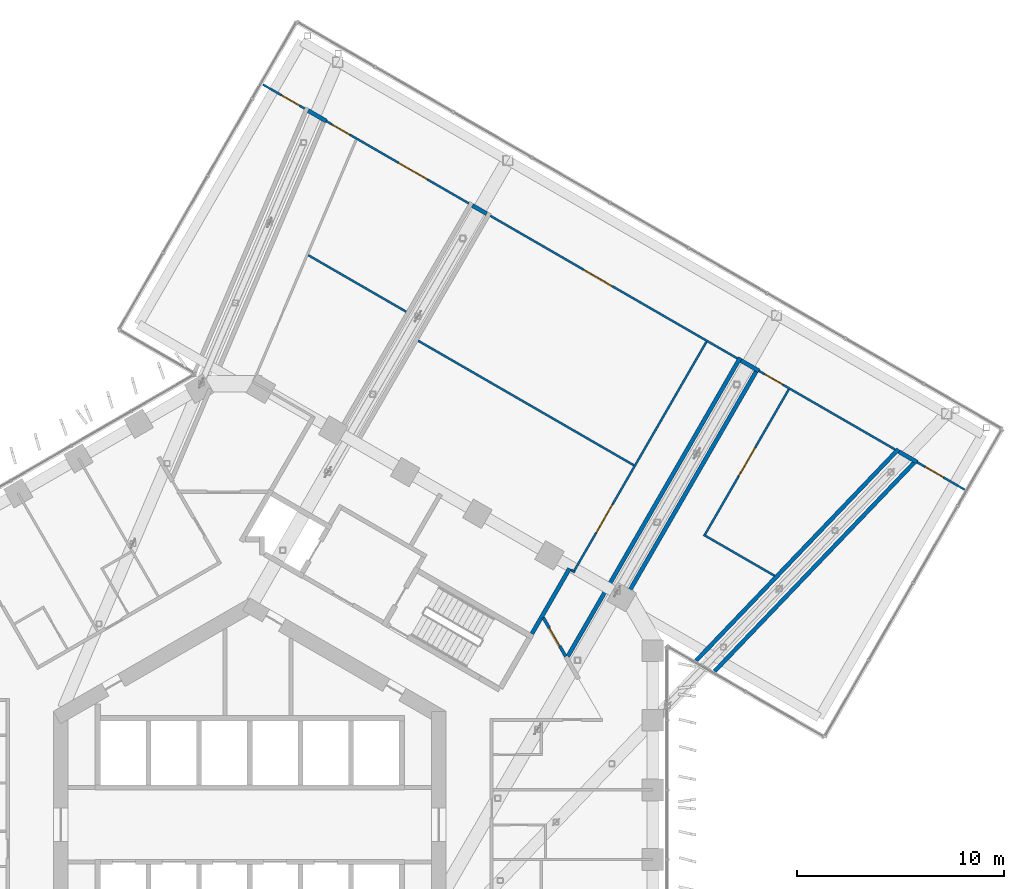
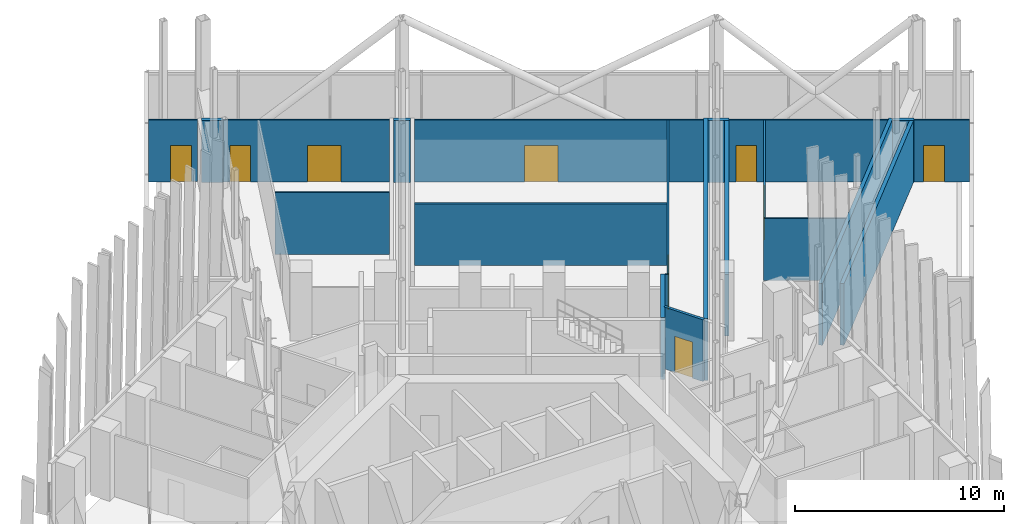
# One storey, part 23 of 31: 21 walls, 9 doors, 9 openings.
"""IFC4 building model written with IfcOpenShell, lengths in metres."""

from ifc_helpers import new_model, si_unit, direction, frame, frame_2d, origin, place, context, subcontext, project, spatial, rectangle, extrude, material, layer, layer_set, type_object, element, fill, save


model = new_model("IFC4")

# Units and contexts
model_context = context("Model", 3, precision=1e-05, world=origin(), true_north=direction((0.0, 1.0)))
body_context = subcontext(model_context, "Body", "Model", "MODEL_VIEW")
ifc_project = project(units=[si_unit("LENGTHUNIT", "METRE"), si_unit("AREAUNIT", "SQUARE_METRE"), si_unit("VOLUMEUNIT", "CUBIC_METRE"), si_unit("PLANEANGLEUNIT", "RADIAN"), si_unit("MASSUNIT", "GRAM", prefix="KILO")], contexts=[model_context])

# Site, building, storey
site_placement = place(None, origin())
site = spatial("IfcSite", under=ifc_project, at=site_placement, CompositionType="ELEMENT")
building_placement = place(site_placement, origin())
building = spatial("IfcBuilding", under=site, at=building_placement, Name="Ayvan Gate Tower", CompositionType="ELEMENT")
storey_placement = place(building_placement, frame((0.0, 0.0, 135.89990234375)))
storey = spatial("IfcBuildingStorey", under=building, at=storey_placement, Name="L36", CompositionType="ELEMENT", Elevation=135.89990234375)

# Wall, opening, door
ifc_material_1 = material(Name="Plasterboard on steel stud", Category="steel")
ifc_layer_1 = layer(ifc_material_1, 0.14990234375)
ifc_layer_set_1 = layer_set([ifc_layer_1], Name="Plasterboard on steel stud")
wall_type_1 = type_object("IfcWallType", Name="WT-CORR-150", PredefinedType="PARTITIONING", material=ifc_layer_set_1)
wall_1_placement = place(storey_placement, frame((14.197265625, 10.01708984375, 0.0), z_axis=(0.0, 0.0, 1.0), x_axis=(0.500076756895, -0.865981083635, 0.0)))
wall_1 = element("IfcWall", 1, at=wall_1_placement, inside=storey, type_object=wall_type_1, Name="IW-L36-125", PredefinedType="PARTITIONING", context=body_context, shape_type="SweptSolid", body=[
    extrude(rectangle(XDim=2.167236328125, YDim=0.14990234375, at=frame_2d((1.08349609375, 0.0))), origin(), (0.0, 0.0, 1.0), 3.60009765625),
])
opening_1_placement = place(wall_1_placement, frame((0.58349609375, 0.0, 0.0)))
opening_1 = element("IfcOpeningElement", 2, at=opening_1_placement, cuts=wall_1, Name="Opening L36-D42", PredefinedType="OPENING", context=body_context, shape_type="SweptSolid", body=[
    extrude(rectangle(XDim=1.0, YDim=2.10009765625, at=frame_2d((0.5, 1.050048828125))), frame((0.0, 0.0849609375, 0.0), z_axis=(0.0, -1.0, 0.0), x_axis=(1.0, 0.0, 0.0)), (0.0, 0.0, 1.0), 0.169921875),
])
ifc_material_2 = material(Name="Timber door leaf", Category="wood")
door_type_1 = type_object("IfcDoorType", Name="DT-1000", OperationType="NOTDEFINED", PredefinedType="DOOR", material=ifc_material_2)
door_1_placement = place(opening_1_placement, origin())
door_1 = element("IfcDoor", 3, at=door_1_placement, inside=storey, type_object=door_type_1, Name="ID-L36-042", OperationType="SINGLE_SWING_RIGHT", OverallHeight=2.10009765625, OverallWidth=1.0, PredefinedType="DOOR", context=body_context, shape_type="SweptSolid", body=[
    extrude(rectangle(XDim=1.0, YDim=2.10009765625, at=frame_2d((0.5, 1.050048828125))), frame((0.0, 0.02490234375, 0.0), z_axis=(0.0, -1.0, 0.0), x_axis=(1.0, 0.0, 0.0)), (0.0, 0.0, 1.0), 0.050048828125),
])
fill(opening_1, door_1)

ifc_layer_2 = layer(ifc_material_1, 0.10009765625)
ifc_layer_set_2 = layer_set([ifc_layer_2], Name="Plasterboard on steel stud")
wall_type_2 = type_object("IfcWallType", Name="WT-PART-100", PredefinedType="PARTITIONING", material=ifc_layer_set_2)
wall_2_placement = place(storey_placement, frame((2.654296875, 34.634521484375, 0.0), z_axis=(0.0, 0.0, 1.0), x_axis=(-0.866052829878, 0.499952493604, 0.0)))
wall_2 = element("IfcWall", 4, at=wall_2_placement, inside=storey, type_object=wall_type_2, Name="IW-L36-081", PredefinedType="PARTITIONING", context=body_context, shape_type="SweptSolid", body=[
    extrude(rectangle(XDim=2.327392578125, YDim=0.10009765625, at=frame_2d((1.16357421875, 0.0))), origin(), (0.0, 0.0, 1.0), 3.60009765625),
])
opening_2_placement = place(wall_2_placement, frame((0.290771484375, 0.0, 0.0)))
opening_2 = element("IfcOpeningElement", 5, at=opening_2_placement, cuts=wall_2, Name="Opening L36-D48", PredefinedType="OPENING", context=body_context, shape_type="SweptSolid", body=[
    extrude(rectangle(XDim=1.0, YDim=2.10009765625, at=frame_2d((0.5, 1.050048828125))), frame((0.0, 0.06005859375, 0.0), z_axis=(0.0, -1.0, 0.0), x_axis=(1.0, 0.0, 0.0)), (0.0, 0.0, 1.0), 0.1201171875),
])
door_2_placement = place(opening_2_placement, origin())
door_2 = element("IfcDoor", 6, at=door_2_placement, inside=storey, type_object=door_type_1, Name="ID-L36-048", OperationType="SINGLE_SWING_RIGHT", OverallHeight=2.10009765625, OverallWidth=1.0, PredefinedType="DOOR", context=body_context, shape_type="SweptSolid", body=[
    extrude(rectangle(XDim=1.0, YDim=2.10009765625, at=frame_2d((0.5, 1.050048828125))), frame((0.0, 0.02490234375, 0.0), z_axis=(0.0, -1.0, 0.0), x_axis=(1.0, 0.0, 0.0)), (0.0, 0.0, 1.0), 0.050048828125),
])
fill(opening_2, door_2)

# Wall
wall_3_placement = place(storey_placement, frame((2.82958984375, 27.545654296875, 0.0), z_axis=(0.0, 0.0, 1.0), x_axis=(0.866035515232, -0.49998248605, 0.0)))
element("IfcWall", 7, at=wall_3_placement, inside=storey, type_object=wall_type_2, Name="IW-L36-082", PredefinedType="PARTITIONING", context=body_context, shape_type="SweptSolid", body=[
    extrude(rectangle(XDim=5.472412109375, YDim=0.10009765625, at=frame_2d((2.736328125, 0.0))), origin(), (0.0, 0.0, 1.0), 3.60009765625),
])

# Wall, openings, doors
wall_4_placement = place(storey_placement, frame((3.69970703125, 34.03076171875, 0.0), z_axis=(0.0, 0.0, 1.0), x_axis=(0.866024725942, -0.500001174055, 0.0)))
wall_4 = element("IfcWall", 8, at=wall_4_placement, inside=storey, type_object=wall_type_2, Name="IW-L36-093", PredefinedType="PARTITIONING", context=body_context, shape_type="SweptSolid", body=[
    extrude(rectangle(XDim=7.96142578125, YDim=0.10009765625, at=frame_2d((3.980712890625, 0.0))), origin(), (0.0, 0.0, 1.0), 3.60009765625),
])
opening_3_placement = place(wall_4_placement, frame((0.335205078125, 0.0, 0.0)))
opening_3 = element("IfcOpeningElement", 9, at=opening_3_placement, cuts=wall_4, Name="Opening L36-D38", PredefinedType="OPENING", context=body_context, shape_type="SweptSolid", body=[
    extrude(rectangle(XDim=1.0, YDim=2.10009765625, at=frame_2d((0.5, 1.050048828125))), frame((0.0, 0.06005859375, 0.0), z_axis=(0.0, -1.0, 0.0), x_axis=(1.0, 0.0, 0.0)), (0.0, 0.0, 1.0), 0.1201171875),
])
opening_4_placement = place(wall_4_placement, frame((4.0458984375, 0.0, 0.0)))
opening_4 = element("IfcOpeningElement", 10, at=opening_4_placement, cuts=wall_4, Name="Opening L36-D47", PredefinedType="OPENING", context=body_context, shape_type="SweptSolid", body=[
    extrude(rectangle(XDim=1.60009765625, YDim=2.10009765625, at=frame_2d((0.800048828125, 1.050048828125))), frame((0.0, 0.06005859375, 0.0), z_axis=(0.0, -1.0, 0.0), x_axis=(1.0, 0.0, 0.0)), (0.0, 0.0, 1.0), 0.1201171875),
])
door_3_placement = place(opening_3_placement, origin())
door_3 = element("IfcDoor", 11, at=door_3_placement, inside=storey, type_object=door_type_1, Name="ID-L36-038", OperationType="SINGLE_SWING_RIGHT", OverallHeight=2.10009765625, OverallWidth=1.0, PredefinedType="DOOR", context=body_context, shape_type="SweptSolid", body=[
    extrude(rectangle(XDim=1.0, YDim=2.10009765625, at=frame_2d((0.5, 1.050048828125))), frame((0.0, 0.02490234375, 0.0), z_axis=(0.0, -1.0, 0.0), x_axis=(1.0, 0.0, 0.0)), (0.0, 0.0, 1.0), 0.050048828125),
])
fill(opening_3, door_3)
door_type_2 = type_object("IfcDoorType", Name="DT-1600", OperationType="NOTDEFINED", PredefinedType="DOOR", material=ifc_material_2)
door_4_placement = place(opening_4_placement, origin())
door_4 = element("IfcDoor", 12, at=door_4_placement, inside=storey, type_object=door_type_2, Name="ID-L36-047", OperationType="SINGLE_SWING_LEFT", OverallHeight=2.10009765625, OverallWidth=1.60009765625, PredefinedType="DOOR", context=body_context, shape_type="SweptSolid", body=[
    extrude(rectangle(XDim=1.60009765625, YDim=2.10009765625, at=frame_2d((0.800048828125, 1.050048828125))), frame((0.0, 0.02490234375, 0.0), z_axis=(0.0, -1.0, 0.0), x_axis=(1.0, 0.0, 0.0)), (0.0, 0.0, 1.0), 0.050048828125),
])
fill(opening_4, door_4)

# Walls
wall_5_placement = place(storey_placement, frame((8.14501953125, 23.40771484375, 0.0), z_axis=(0.0, 0.0, 1.0), x_axis=(0.866032748968, -0.499987277554, 0.0)))
element("IfcWall", 13, at=wall_5_placement, inside=storey, type_object=wall_type_2, Name="IW-L36-105", PredefinedType="PARTITIONING", context=body_context, shape_type="SweptSolid", body=[
    extrude(rectangle(XDim=12.050048828125, YDim=0.10009765625, at=frame_2d((6.02490234375, 0.0))), origin(), (0.0, 0.0, 1.0), 3.60009765625),
])
wall_6_placement = place(storey_placement, frame((15.5419921875, 12.319580078125, 0.0), z_axis=(0.0, 0.0, 1.0), x_axis=(0.866510491504, -0.499158860599, 0.0)))
element("IfcWall", 14, at=wall_6_placement, inside=storey, type_object=wall_type_2, Name="IW-L36-131", PredefinedType="PARTITIONING", context=body_context, shape_type="SweptSolid", body=[
    extrude(rectangle(XDim=0.199951171875, YDim=0.10009765625, at=frame_2d((0.10009765625, 0.0))), origin(), (0.0, 0.0, 1.0), 3.60009765625),
])

# Wall, opening, door
wall_7_placement = place(storey_placement, frame((15.697021484375, 12.2880859375, 0.0), z_axis=(0.0, 0.0, 1.0), x_axis=(0.500009610757, 0.86601985494, 0.0)))
wall_7 = element("IfcWall", 15, at=wall_7_placement, inside=storey, type_object=wall_type_2, Name="IW-L36-132", PredefinedType="PARTITIONING", context=body_context, shape_type="SweptSolid", body=[
    extrude(rectangle(XDim=12.781005859375, YDim=0.10009765625, at=frame_2d((6.390625, 0.0))), origin(), (0.0, 0.0, 1.0), 3.60009765625),
])
opening_5_placement = place(wall_7_placement, frame((2.112060546875, 0.0, 0.0)))
opening_5 = element("IfcOpeningElement", 16, at=opening_5_placement, cuts=wall_7, Name="Opening L36-D43", PredefinedType="OPENING", context=body_context, shape_type="SweptSolid", body=[
    extrude(rectangle(XDim=1.60009765625, YDim=2.10009765625, at=frame_2d((0.800048828125, 1.050048828125))), frame((0.0, 0.06005859375, 0.0), z_axis=(0.0, -1.0, 0.0), x_axis=(1.0, 0.0, 0.0)), (0.0, 0.0, 1.0), 0.1201171875),
])
door_5_placement = place(opening_5_placement, origin())
door_5 = element("IfcDoor", 17, at=door_5_placement, inside=storey, type_object=door_type_2, Name="ID-L36-043", OperationType="SINGLE_SWING_LEFT", OverallHeight=2.10009765625, OverallWidth=1.60009765625, PredefinedType="DOOR", context=body_context, shape_type="SweptSolid", body=[
    extrude(rectangle(XDim=1.60009765625, YDim=2.10009765625, at=frame_2d((0.800048828125, 1.050048828125))), frame((0.0, 0.02490234375, 0.0), z_axis=(0.0, -1.0, 0.0), x_axis=(1.0, 0.0, 0.0)), (0.0, 0.0, 1.0), 0.050048828125),
])
fill(opening_5, door_5)

# Wall
wall_8_placement = place(storey_placement, frame((21.95166015625, 14.021484375, 0.0), z_axis=(0.0, 0.0, 1.0), x_axis=(0.866027556635, -0.499996271135, 0.0)))
element("IfcWall", 18, at=wall_8_placement, inside=storey, type_object=wall_type_2, Name="IW-L36-135", PredefinedType="PARTITIONING", context=body_context, shape_type="SweptSolid", body=[
    extrude(rectangle(XDim=3.9619140625, YDim=0.10009765625, at=frame_2d((1.98095703125, 0.0))), origin(), (0.0, 0.0, 1.0), 3.60009765625),
])

# Wall, opening, door
wall_9_placement = place(storey_placement, frame((11.633544921875, 29.4501953125, 0.0), z_axis=(0.0, 0.0, 1.0), x_axis=(0.866025616189, -0.499999632104, 0.0)))
wall_9 = element("IfcWall", 19, at=wall_9_placement, inside=storey, type_object=wall_type_2, Name="IW-L36-136", PredefinedType="PARTITIONING", context=body_context, shape_type="SweptSolid", body=[
    extrude(rectangle(XDim=13.80029296875, YDim=0.10009765625, at=frame_2d((6.900146484375, 0.0))), origin(), (0.0, 0.0, 1.0), 3.60009765625),
])
opening_6_placement = place(wall_9_placement, frame((5.235107421875, 0.0, 0.0)))
opening_6 = element("IfcOpeningElement", 20, at=opening_6_placement, cuts=wall_9, Name="Opening L36-D44", PredefinedType="OPENING", context=body_context, shape_type="SweptSolid", body=[
    extrude(rectangle(XDim=1.60009765625, YDim=2.10009765625, at=frame_2d((0.800048828125, 1.050048828125))), frame((0.0, 0.06005859375, 0.0), z_axis=(0.0, -1.0, 0.0), x_axis=(1.0, 0.0, 0.0)), (0.0, 0.0, 1.0), 0.1201171875),
])
door_6_placement = place(opening_6_placement, origin())
door_6 = element("IfcDoor", 21, at=door_6_placement, inside=storey, type_object=door_type_2, Name="ID-L36-044", OperationType="SINGLE_SWING_RIGHT", OverallHeight=2.10009765625, OverallWidth=1.60009765625, PredefinedType="DOOR", context=body_context, shape_type="SweptSolid", body=[
    extrude(rectangle(XDim=1.60009765625, YDim=2.10009765625, at=frame_2d((0.800048828125, 1.050048828125))), frame((0.0, 0.02490234375, 0.0), z_axis=(0.0, -1.0, 0.0), x_axis=(1.0, 0.0, 0.0)), (0.0, 0.0, 1.0), 0.050048828125),
])
fill(opening_6, door_6)

wall_10_placement = place(storey_placement, frame((26.0712890625, 21.056884765625, 0.0), z_axis=(0.0, 0.0, 1.0), x_axis=(-0.499995447853, -0.866028031952, 0.0)))
wall_10 = element("IfcWall", 22, at=wall_10_placement, inside=storey, type_object=wall_type_2, Name="IW-L36-140", PredefinedType="PARTITIONING", context=body_context, shape_type="SweptSolid", body=[
    extrude(rectangle(XDim=8.1025390625, YDim=0.10009765625, at=frame_2d((4.05126953125, 0.0))), origin(), (0.0, 0.0, 1.0), 3.60009765625),
])
opening_7_placement = place(wall_10_placement, frame((3.251220703125, 0.0, 0.0)))
opening_7 = element("IfcOpeningElement", 23, at=opening_7_placement, cuts=wall_10, Name="Opening L36-D41", PredefinedType="OPENING", context=body_context, shape_type="SweptSolid", body=[
    extrude(rectangle(XDim=1.60009765625, YDim=2.10009765625, at=frame_2d((0.800048828125, 1.050048828125))), frame((0.0, 0.06005859375, 0.0), z_axis=(0.0, -1.0, 0.0), x_axis=(1.0, 0.0, 0.0)), (0.0, 0.0, 1.0), 0.1201171875),
])
door_7_placement = place(opening_7_placement, origin())
door_7 = element("IfcDoor", 24, at=door_7_placement, inside=storey, type_object=door_type_2, Name="ID-L36-041", OperationType="SINGLE_SWING_LEFT", OverallHeight=2.10009765625, OverallWidth=1.60009765625, PredefinedType="DOOR", context=body_context, shape_type="SweptSolid", body=[
    extrude(rectangle(XDim=1.60009765625, YDim=2.10009765625, at=frame_2d((0.800048828125, 1.050048828125))), frame((0.0, 0.02490234375, 0.0), z_axis=(0.0, -1.0, 0.0), x_axis=(1.0, 0.0, 0.0)), (0.0, 0.0, 1.0), 0.050048828125),
])
fill(opening_7, door_7)

wall_11_placement = place(storey_placement, frame((24.6240234375, 21.9501953125, 0.0), z_axis=(0.0, 0.0, 1.0), x_axis=(0.866019020569, -0.50001105589, 0.0)))
wall_11 = element("IfcWall", 25, at=wall_11_placement, inside=storey, type_object=wall_type_2, Name="IW-L36-141", PredefinedType="PARTITIONING", context=body_context, shape_type="SweptSolid", body=[
    extrude(rectangle(XDim=7.615478515625, YDim=0.10009765625, at=frame_2d((3.8076171875, 0.0))), origin(), (0.0, 0.0, 1.0), 3.60009765625),
])
opening_8_placement = place(wall_11_placement, frame((0.335205078125, 0.0, 0.0)))
opening_8 = element("IfcOpeningElement", 26, at=opening_8_placement, cuts=wall_11, Name="Opening L36-D40", PredefinedType="OPENING", context=body_context, shape_type="SweptSolid", body=[
    extrude(rectangle(XDim=1.0, YDim=2.10009765625, at=frame_2d((0.5, 1.050048828125))), frame((0.0, 0.06005859375, 0.0), z_axis=(0.0, -1.0, 0.0), x_axis=(1.0, 0.0, 0.0)), (0.0, 0.0, 1.0), 0.1201171875),
])
door_8_placement = place(opening_8_placement, origin())
door_8 = element("IfcDoor", 27, at=door_8_placement, inside=storey, type_object=door_type_1, Name="ID-L36-040", OperationType="SINGLE_SWING_RIGHT", OverallHeight=2.10009765625, OverallWidth=1.0, PredefinedType="DOOR", context=body_context, shape_type="SweptSolid", body=[
    extrude(rectangle(XDim=1.0, YDim=2.10009765625, at=frame_2d((0.5, 1.050048828125))), frame((0.0, 0.02490234375, 0.0), z_axis=(0.0, -1.0, 0.0), x_axis=(1.0, 0.0, 0.0)), (0.0, 0.0, 1.0), 0.050048828125),
])
fill(opening_8, door_8)

wall_12_placement = place(storey_placement, frame((34.579833984375, 16.2021484375, 0.0), z_axis=(0.0, 0.0, 1.0), x_axis=(-0.866024577697, 0.500001430823, 0.0)))
wall_12 = element("IfcWall", 28, at=wall_12_placement, inside=storey, type_object=wall_type_2, Name="IW-L36-144", PredefinedType="PARTITIONING", context=body_context, shape_type="SweptSolid", body=[
    extrude(rectangle(XDim=2.6513671875, YDim=0.10009765625, at=frame_2d((1.32568359375, 0.0))), origin(), (0.0, 0.0, 1.0), 3.60009765625),
])
opening_9_placement = place(wall_12_placement, frame((1.198486328125, 0.0, 0.0)))
opening_9 = element("IfcOpeningElement", 29, at=opening_9_placement, cuts=wall_12, Name="Opening L36-D39", PredefinedType="OPENING", context=body_context, shape_type="SweptSolid", body=[
    extrude(rectangle(XDim=1.0, YDim=2.10009765625, at=frame_2d((0.5, 1.050048828125))), frame((0.0, 0.06005859375, 0.0), z_axis=(0.0, -1.0, 0.0), x_axis=(1.0, 0.0, 0.0)), (0.0, 0.0, 1.0), 0.1201171875),
])
door_9_placement = place(opening_9_placement, origin())
door_9 = element("IfcDoor", 30, at=door_9_placement, inside=storey, type_object=door_type_1, Name="ID-L36-039", OperationType="SINGLE_SWING_LEFT", OverallHeight=2.10009765625, OverallWidth=1.0, PredefinedType="DOOR", context=body_context, shape_type="SweptSolid", body=[
    extrude(rectangle(XDim=1.0, YDim=2.10009765625, at=frame_2d((0.5, 1.050048828125))), frame((0.0, 0.02490234375, 0.0), z_axis=(0.0, -1.0, 0.0), x_axis=(1.0, 0.0, 0.0)), (0.0, 0.0, 1.0), 0.050048828125),
])
fill(opening_9, door_9)

# Walls
ifc_layer_3 = layer(ifc_material_1, 0.199951171875)
ifc_layer_set_3 = layer_set([ifc_layer_3], Name="Plasterboard on steel stud")
wall_type_3 = type_object("IfcWallType", Name="WT-PLUMB-200", PredefinedType="PLUMBINGWALL", material=ifc_layer_set_3)
wall_13_placement = place(storey_placement, frame((2.827392578125, 34.534423828125, 0.0), z_axis=(0.0, 0.0, 1.0), x_axis=(0.866012023309, -0.500023174947, 0.0)))
element("IfcWall", 31, at=wall_13_placement, inside=storey, type_object=wall_type_3, Name="IW-L36-080", PredefinedType="PLUMBINGWALL", context=body_context, shape_type="SweptSolid", body=[
    extrude(rectangle(XDim=1.00732421875, YDim=0.199951171875, at=frame_2d((0.503662109375, 0.0))), origin(), (0.0, 0.0, 1.0), 3.60009765625),
])
wall_14_placement = place(storey_placement, frame((10.767578125, 29.9501953125, 0.0), z_axis=(0.0, 0.0, 1.0), x_axis=(0.865961984968, -0.500109828528, 0.0)))
element("IfcWall", 32, at=wall_14_placement, inside=storey, type_object=wall_type_3, Name="IW-L36-110", PredefinedType="PLUMBINGWALL", context=body_context, shape_type="SweptSolid", body=[
    extrude(rectangle(XDim=0.800048828125, YDim=0.199951171875, at=frame_2d((0.39990234375, 0.0))), origin(), (0.0, 0.0, 1.0), 3.60009765625),
])
wall_15_placement = place(storey_placement, frame((13.64794921875, 9.23876953125, 0.0), z_axis=(0.0, 0.0, 1.0), x_axis=(0.499977996243, 0.866038107287, 0.0)))
element("IfcWall", 33, at=wall_15_placement, inside=storey, type_object=wall_type_3, Name="IW-L36-126", PredefinedType="PLUMBINGWALL", context=body_context, shape_type="SweptSolid", body=[
    extrude(rectangle(XDim=3.638916015625, YDim=0.199951171875, at=frame_2d((1.8193359375, 0.0))), origin(), (0.0, 0.0, 1.0), 3.60009765625),
])
wall_16_placement = place(storey_placement, frame((15.380859375, 8.140380859375, 0.0), z_axis=(0.0, 0.0, 1.0), x_axis=(0.500000327893, 0.866025214475, 0.0)))
element("IfcWall", 34, at=wall_16_placement, inside=storey, type_object=wall_type_3, Name="IW-L36-130", PredefinedType="PLUMBINGWALL", context=body_context, shape_type="SweptSolid", body=[
    extrude(rectangle(XDim=16.68115234375, YDim=0.199951171875, at=frame_2d((8.340576171875, 0.0))), origin(), (0.0, 0.0, 1.0), 3.60009765625),
])
wall_17_placement = place(storey_placement, frame((21.5888671875, 7.93359375, 0.0), z_axis=(0.0, 0.0, 1.0), x_axis=(0.691214032361, 0.722650096151, 0.0)))
element("IfcWall", 35, at=wall_17_placement, inside=storey, type_object=wall_type_3, Name="IW-L36-137", PredefinedType="PLUMBINGWALL", context=body_context, shape_type="SweptSolid", body=[
    extrude(rectangle(XDim=14.157958984375, YDim=0.199951171875, at=frame_2d((7.0791015625, 0.0))), origin(), (0.0, 0.0, 1.0), 3.60009765625),
])
wall_18_placement = place(storey_placement, frame((23.758056640625, 22.4501953125, 0.0), z_axis=(0.0, 0.0, 1.0), x_axis=(0.866010750942, -0.50002537861, 0.0)))
element("IfcWall", 36, at=wall_18_placement, inside=storey, type_object=wall_type_3, Name="IW-L36-138", PredefinedType="PLUMBINGWALL", context=body_context, shape_type="SweptSolid", body=[
    extrude(rectangle(XDim=1.0, YDim=0.199951171875, at=frame_2d((0.5, 0.0))), origin(), (0.0, 0.0, 1.0), 3.60009765625),
])
wall_19_placement = place(storey_placement, frame((24.487548828125, 21.91357421875, 0.0), z_axis=(0.0, 0.0, 1.0), x_axis=(-0.50000571756, -0.866022102725, 0.0)))
element("IfcWall", 37, at=wall_19_placement, inside=storey, type_object=wall_type_3, Name="IW-L36-139", PredefinedType="PLUMBINGWALL", context=body_context, shape_type="SweptSolid", body=[
    extrude(rectangle(XDim=12.807373046875, YDim=0.199951171875, at=frame_2d((6.40380859375, 0.0))), origin(), (0.0, 0.0, 1.0), 3.60009765625),
])
wall_20_placement = place(storey_placement, frame((31.392333984375, 18.04248046875, 0.0), z_axis=(0.0, 0.0, 1.0), x_axis=(0.865972333609, -0.500091908976, 0.0)))
element("IfcWall", 38, at=wall_20_placement, inside=storey, type_object=wall_type_3, Name="IW-L36-142", PredefinedType="PLUMBINGWALL", context=body_context, shape_type="SweptSolid", body=[
    extrude(rectangle(XDim=1.029541015625, YDim=0.199951171875, at=frame_2d((0.5146484375, 0.0))), origin(), (0.0, 0.0, 1.0), 3.60009765625),
])
wall_21_placement = place(storey_placement, frame((32.128173828125, 17.505615234375, 0.0), z_axis=(0.0, 0.0, 1.0), x_axis=(-0.691207554904, -0.722656291776, 0.0)))
element("IfcWall", 39, at=wall_21_placement, inside=storey, type_object=wall_type_3, Name="IW-L36-143", PredefinedType="PLUMBINGWALL", context=body_context, shape_type="SweptSolid", body=[
    extrude(rectangle(XDim=13.9580078125, YDim=0.199951171875, at=frame_2d((6.97900390625, 0.0))), origin(), (0.0, 0.0, 1.0), 3.60009765625),
])

save(model, "model.ifc")
